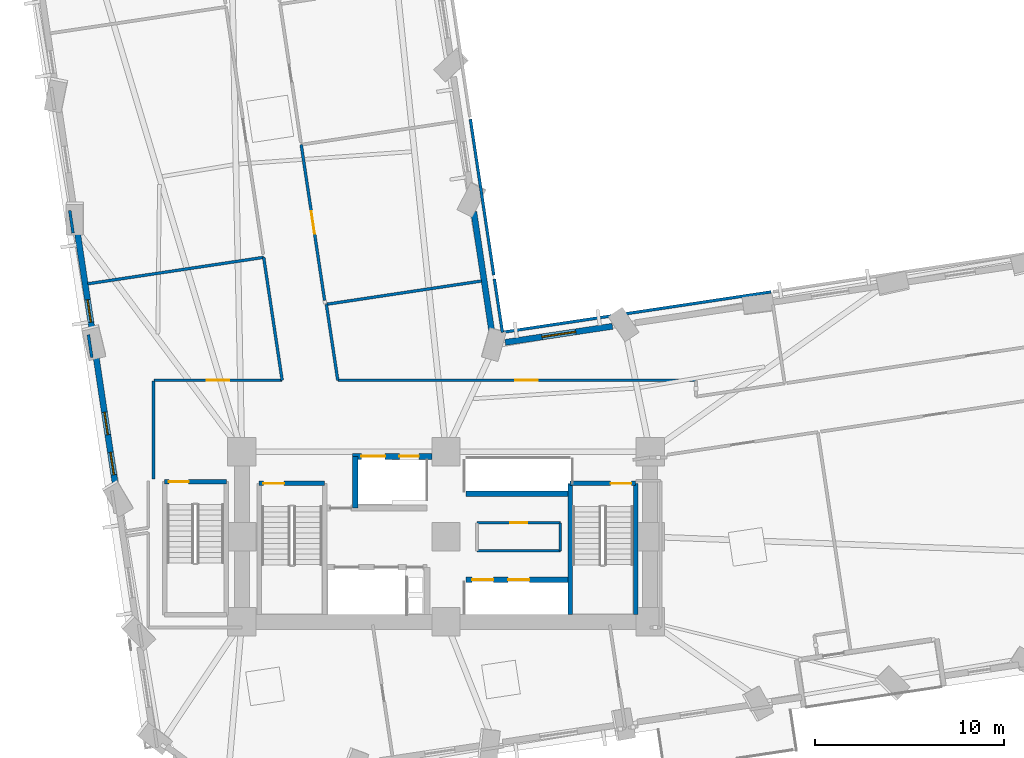
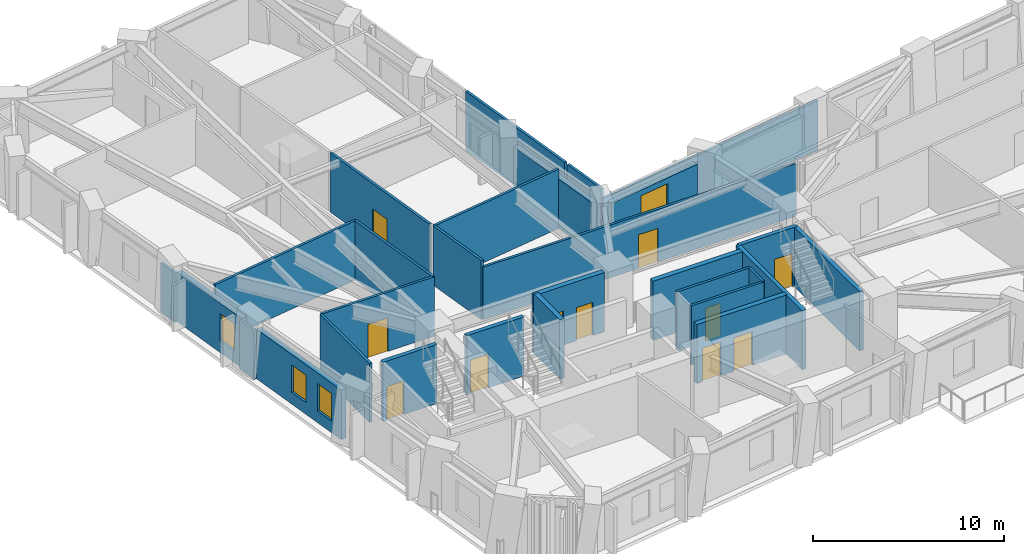
# One storey, part 8 of 15: 29 walls, 11 doors, 4 windows, 15 openings.
"""IFC4 building model written with IfcOpenShell, lengths in metres."""

from ifc_helpers import new_model, si_unit, direction, frame, frame_2d, origin, place, context, subcontext, project, spatial, rectangle, extrude, material, layer, layer_set, type_object, element, fill, save


model = new_model("IFC4")

# Units and contexts
model_context = context("Model", 3, precision=1e-05, world=origin(), true_north=direction((0.0, 1.0)))
body_context = subcontext(model_context, "Body", "Model", "MODEL_VIEW")
ifc_project = project(units=[si_unit("LENGTHUNIT", "METRE"), si_unit("AREAUNIT", "SQUARE_METRE"), si_unit("VOLUMEUNIT", "CUBIC_METRE"), si_unit("PLANEANGLEUNIT", "RADIAN"), si_unit("MASSUNIT", "GRAM", prefix="KILO")], contexts=[model_context])

# Site, building, storey
site_placement = place(None, origin())
site = spatial("IfcSite", under=ifc_project, at=site_placement, CompositionType="ELEMENT")
building_placement = place(site_placement, origin())
building = spatial("IfcBuilding", under=site, at=building_placement, Name="Gaonmaruhae Medical Tower", CompositionType="ELEMENT")
storey_placement = place(building_placement, frame((0.0, 0.0, 59.0)))
storey = spatial("IfcBuildingStorey", under=building, at=storey_placement, Name="L13", CompositionType="ELEMENT", Elevation=59.0)

# Wall, opening, window
ifc_material_1 = material(Name="Precast concrete C45/55", Category="concrete")
ifc_layer_1 = layer(ifc_material_1, 0.320068359375)
ifc_layer_set_1 = layer_set([ifc_layer_1], Name="Precast concrete C45/55")
wall_type_1 = type_object("IfcWallType", Name="EW-320 Lower Precast Masonry-Frame Facade Wall", PredefinedType="SOLIDWALL", material=ifc_layer_set_1)
wall_1_placement = place(storey_placement, frame((27.93359375, 22.5830078125, 0.0), z_axis=(0.0, 0.0, 1.0), x_axis=(0.988887912661, 0.148663029005, 0.0)))
wall_1 = element("IfcWall", 1, at=wall_1_placement, inside=storey, type_object=wall_type_1, Name="L13 Precast Masonry-Frame Wall EN04-KN01", PredefinedType="SOLIDWALL", context=body_context, shape_type="SweptSolid", body=[
    extrude(rectangle(XDim=5.736328125, YDim=0.320068359375, at=frame_2d((2.8681640625, 0.0))), origin(), (0.0, 0.0, 1.0), 3.1650390625),
])
opening_1_placement = place(wall_1_placement, frame((1.96875, 0.0, 0.75)))
opening_1 = element("IfcOpeningElement", 2, at=opening_1_placement, cuts=wall_1, Name="Opening WN-04", PredefinedType="OPENING", context=body_context, shape_type="SweptSolid", body=[
    extrude(rectangle(XDim=1.800048828125, YDim=2.050048828125, at=frame_2d((0.89990234375, 1.02490234375))), frame((0.0, 0.169921875, 0.0), z_axis=(0.0, -1.0, 0.0), x_axis=(1.0, 0.0, 0.0)), (0.0, 0.0, 1.0), 0.340087890625),
])
ifc_material_2 = material(Name="Anodised aluminium and Low-E double glazing", Category="aluminium")
window_type_1 = type_object("IfcWindowType", Name="WN-04 Clinic & Consult Punched Window 1800x2050", PartitioningType="SINGLE_PANEL", PredefinedType="WINDOW", material=ifc_material_2)
window_1_placement = place(opening_1_placement, origin())
window_1 = element("IfcWindow", 3, at=window_1_placement, inside=storey, type_object=window_type_1, Name="L13 Modular Facade Window EN04", OverallHeight=2.050048828125, OverallWidth=1.800048828125, PartitioningType="SINGLE_PANEL", PredefinedType="WINDOW", context=body_context, shape_type="SweptSolid", body=[
    extrude(rectangle(XDim=1.800048828125, YDim=2.050048828125, at=frame_2d((0.89990234375, 1.02490234375))), frame((0.0, 0.030029296875, 0.0), z_axis=(0.0, -1.0, 0.0), x_axis=(1.0, 0.0, 0.0)), (0.0, 0.0, 1.0), 0.06005859375),
])
fill(opening_1, window_1)

# Wall
wall_2_placement = place(storey_placement, frame((27.2412109375, 23.03857421875, 0.0), z_axis=(0.0, 0.0, 1.0), x_axis=(-0.148660081435, 0.988888355775, 0.0)))
element("IfcWall", 4, at=wall_2_placement, inside=storey, type_object=wall_type_1, Name="L13 Precast Masonry-Frame Wall KN01-NE01", PredefinedType="SOLIDWALL", context=body_context, shape_type="SweptSolid", body=[
    extrude(rectangle(XDim=6.5361328125, YDim=0.320068359375, at=frame_2d((3.26806640625, 0.0))), origin(), (0.0, 0.0, 1.0), 3.1650390625),
])

# Wall, opening, window
wall_3_placement = place(storey_placement, frame((6.108642578125, 23.023193359375, 0.0), z_axis=(0.0, 0.0, 1.0), x_axis=(-0.148652196075, 0.988889541153, 0.0)))
wall_3 = element("IfcWall", 5, at=wall_3_placement, inside=storey, type_object=wall_type_1, Name="L13 Precast Masonry-Frame Wall W03-W04", PredefinedType="SOLIDWALL", context=body_context, shape_type="SweptSolid", body=[
    extrude(rectangle(XDim=5.437744140625, YDim=0.320068359375, at=frame_2d((2.71875, 0.0))), origin(), (0.0, 0.0, 1.0), 3.1650390625),
])
opening_2_placement = place(wall_3_placement, frame((0.6298828125, 0.0, 0.75)))
opening_2 = element("IfcOpeningElement", 6, at=opening_2_placement, cuts=wall_3, Name="Opening WN-05", PredefinedType="OPENING", context=body_context, shape_type="SweptSolid", body=[
    extrude(rectangle(XDim=1.199951171875, YDim=1.75, at=frame_2d((0.60009765625, 0.875))), frame((0.0, 0.169921875, 0.0), z_axis=(0.0, -1.0, 0.0), x_axis=(1.0, 0.0, 0.0)), (0.0, 0.0, 1.0), 0.340087890625),
])
window_type_2 = type_object("IfcWindowType", Name="WN-05 Support & Staff Punched Window 1200x1750", PartitioningType="SINGLE_PANEL", PredefinedType="WINDOW", material=ifc_material_2)
window_2_placement = place(opening_2_placement, origin())
window_2 = element("IfcWindow", 7, at=window_2_placement, inside=storey, type_object=window_type_2, Name="L13 Modular Facade Window W03", OverallHeight=1.75, OverallWidth=1.199951171875, PartitioningType="SINGLE_PANEL", PredefinedType="WINDOW", context=body_context, shape_type="SweptSolid", body=[
    extrude(rectangle(XDim=1.199951171875, YDim=1.75, at=frame_2d((0.60009765625, 0.875))), frame((0.0, 0.030029296875, 0.0), z_axis=(0.0, -1.0, 0.0), x_axis=(1.0, 0.0, 0.0)), (0.0, 0.0, 1.0), 0.06005859375),
])
fill(opening_2, window_2)

# Wall, openings, windows
wall_4_placement = place(storey_placement, frame((7.350341796875, 14.76416015625, 0.0), z_axis=(0.0, 0.0, 1.0), x_axis=(-0.148678365996, 0.988885606875, 0.0)))
wall_4 = element("IfcWall", 8, at=wall_4_placement, inside=storey, type_object=wall_type_1, Name="L13 Precast Masonry-Frame Wall W04-W05", PredefinedType="SOLIDWALL", context=body_context, shape_type="SweptSolid", body=[
    extrude(rectangle(XDim=7.136474609375, YDim=0.320068359375, at=frame_2d((3.568359375, 0.0))), origin(), (0.0, 0.0, 1.0), 3.1650390625),
])
opening_3_placement = place(wall_4_placement, frame((2.96875, 0.0, 0.75)))
opening_3 = element("IfcOpeningElement", 9, at=opening_3_placement, cuts=wall_4, Name="Opening WN-05", PredefinedType="OPENING", context=body_context, shape_type="SweptSolid", body=[
    extrude(rectangle(XDim=1.199951171875, YDim=1.75, at=frame_2d((0.60009765625, 0.875))), frame((0.0, 0.169921875, 0.0), z_axis=(0.0, -1.0, 0.0), x_axis=(1.0, 0.0, 0.0)), (0.0, 0.0, 1.0), 0.340087890625),
])
opening_4_placement = place(wall_4_placement, frame((0.81982421875, 0.0, 0.75)))
opening_4 = element("IfcOpeningElement", 10, at=opening_4_placement, cuts=wall_4, Name="Opening WN-05", PredefinedType="OPENING", context=body_context, shape_type="SweptSolid", body=[
    extrude(rectangle(XDim=1.199951171875, YDim=1.75, at=frame_2d((0.60009765625, 0.875))), frame((0.0, 0.169921875, 0.0), z_axis=(0.0, -1.0, 0.0), x_axis=(1.0, 0.0, 0.0)), (0.0, 0.0, 1.0), 0.340087890625),
])
window_3_placement = place(opening_3_placement, origin())
window_3 = element("IfcWindow", 11, at=window_3_placement, inside=storey, type_object=window_type_2, Name="L13 Modular Facade Window W04", OverallHeight=1.75, OverallWidth=1.199951171875, PartitioningType="SINGLE_PANEL", PredefinedType="WINDOW", context=body_context, shape_type="SweptSolid", body=[
    extrude(rectangle(XDim=1.199951171875, YDim=1.75, at=frame_2d((0.60009765625, 0.875))), frame((0.0, 0.030029296875, 0.0), z_axis=(0.0, -1.0, 0.0), x_axis=(1.0, 0.0, 0.0)), (0.0, 0.0, 1.0), 0.06005859375),
])
fill(opening_3, window_3)
window_4_placement = place(opening_4_placement, origin())
window_4 = element("IfcWindow", 12, at=window_4_placement, inside=storey, type_object=window_type_2, Name="L13 Modular Facade Window W04B", OverallHeight=1.75, OverallWidth=1.199951171875, PartitioningType="SINGLE_PANEL", PredefinedType="WINDOW", context=body_context, shape_type="SweptSolid", body=[
    extrude(rectangle(XDim=1.199951171875, YDim=1.75, at=frame_2d((0.60009765625, 0.875))), frame((0.0, 0.030029296875, 0.0), z_axis=(0.0, -1.0, 0.0), x_axis=(1.0, 0.0, 0.0)), (0.0, 0.0, 1.0), 0.06005859375),
])
fill(opening_4, window_4)

# Wall, opening, door
ifc_material_3 = material(Name="Gypsum board partition", Category="gypsum")
ifc_layer_2 = layer(ifc_material_3, 0.14990234375)
ifc_layer_set_2 = layer_set([ifc_layer_2], Name="Gypsum board partition")
wall_type_2 = type_object("IfcWallType", Name="PW-150 Rated Clinical Corridor Partition", PredefinedType="PARTITIONING", material=ifc_layer_set_2)
wall_5_placement = place(storey_placement, frame((26.449951171875, 13.0400390625, 0.0), z_axis=(0.0, 0.0, 1.0), x_axis=(1.0, 0.0, 0.0)))
wall_5 = element("IfcWall", 13, at=wall_5_placement, inside=storey, type_object=wall_type_2, Name="L13 Interior Partition L13-CS1-2", PredefinedType="PARTITIONING", context=body_context, shape_type="SweptSolid", body=[
    extrude(rectangle(XDim=4.400146484375, YDim=0.14990234375, at=frame_2d((2.2001953125, 0.0))), origin(), (0.0, 0.0, 1.0), 3.780029296875),
])
opening_5_placement = place(wall_5_placement, frame((1.739990234375, 0.0, 0.0)))
opening_5 = element("IfcOpeningElement", 14, at=opening_5_placement, cuts=wall_5, Name="Opening UD-01", PredefinedType="OPENING", context=body_context, shape_type="SweptSolid", body=[
    extrude(rectangle(XDim=0.919921875, YDim=2.10009765625, at=frame_2d((0.4599609375, 1.050048828125))), frame((0.0, 0.0849609375, 0.0), z_axis=(0.0, -1.0, 0.0), x_axis=(1.0, 0.0, 0.0)), (0.0, 0.0, 1.0), 0.169921875),
])
ifc_material_4 = material(Name="Powder-coated steel utility door", Category="steel")
door_type_1 = type_object("IfcDoorType", Name="UD-01 Toilet, Utility & Housekeeping Door 920x2100", OperationType="NOTDEFINED", PredefinedType="DOOR", material=ifc_material_4)
door_1_placement = place(opening_5_placement, origin())
door_1 = element("IfcDoor", 15, at=door_1_placement, inside=storey, type_object=door_type_1, Name="L13 Clean Linen Utility Store Door", OperationType="SINGLE_SWING_LEFT", OverallHeight=2.10009765625, OverallWidth=0.919921875, PredefinedType="DOOR", context=body_context, shape_type="SweptSolid", body=[
    extrude(rectangle(XDim=0.919921875, YDim=2.10009765625, at=frame_2d((0.4599609375, 1.050048828125))), frame((0.0, 0.02490234375, 0.0), z_axis=(0.0, -1.0, 0.0), x_axis=(1.0, 0.0, 0.0)), (0.0, 0.0, 1.0), 0.050048828125),
])
fill(opening_5, door_1)

# Walls
wall_6_placement = place(storey_placement, frame((30.85009765625, 13.0400390625, 0.0), z_axis=(0.0, 0.0, 1.0), x_axis=(0.0, -1.0, 0.0)))
element("IfcWall", 16, at=wall_6_placement, inside=storey, type_object=wall_type_2, Name="L13 Interior Partition L13-CS1-3", PredefinedType="PARTITIONING", context=body_context, shape_type="SweptSolid", body=[
    extrude(rectangle(XDim=1.47998046875, YDim=0.14990234375, at=frame_2d((0.739990234375, 0.0))), origin(), (0.0, 0.0, 1.0), 3.780029296875),
])
wall_7_placement = place(storey_placement, frame((30.85009765625, 11.56005859375, 0.0), z_axis=(0.0, 0.0, 1.0), x_axis=(-1.0, 0.0, 0.0)))
element("IfcWall", 17, at=wall_7_placement, inside=storey, type_object=wall_type_2, Name="L13 Interior Partition L13-CS1-4", PredefinedType="PARTITIONING", context=body_context, shape_type="SweptSolid", body=[
    extrude(rectangle(XDim=4.400146484375, YDim=0.14990234375, at=frame_2d((2.2001953125, 0.0))), origin(), (0.0, 0.0, 1.0), 3.780029296875),
])
wall_8_placement = place(storey_placement, frame((9.320068359375, 20.550048828125, 0.0), z_axis=(0.0, 0.0, 1.0), x_axis=(0.0, -1.0, 0.0)))
element("IfcWall", 18, at=wall_8_placement, inside=storey, type_object=wall_type_2, Name="L13 Interior Partition L13-WOF06-43", PredefinedType="PARTITIONING", context=body_context, shape_type="SweptSolid", body=[
    extrude(rectangle(XDim=5.18505859375, YDim=0.14990234375, at=frame_2d((2.592529296875, 0.0))), origin(), (0.0, 0.0, 1.0), 3.780029296875),
])
wall_9_placement = place(storey_placement, frame((6.06201171875, 21.787109375, 0.0), z_axis=(0.0, 0.0, 1.0), x_axis=(-0.148841369981, 0.988861085584, 0.0)))
element("IfcWall", 19, at=wall_9_placement, inside=storey, type_object=wall_type_2, Name="L13 Interior Partition L13-WOF06-47", PredefinedType="PARTITIONING", context=body_context, shape_type="SweptSolid", body=[
    extrude(rectangle(XDim=1.21533203125, YDim=0.14990234375, at=frame_2d((0.607666015625, 0.0))), origin(), (0.0, 0.0, 1.0), 3.1650390625),
])
wall_10_placement = place(storey_placement, frame((5.844970703125, 25.68310546875, 0.0), z_axis=(0.0, 0.0, 1.0), x_axis=(0.988885704997, 0.148677713369, 0.0)))
element("IfcWall", 20, at=wall_10_placement, inside=storey, type_object=wall_type_2, Name="L13 Interior Partition L13-WOF06-48", PredefinedType="PARTITIONING", context=body_context, shape_type="SweptSolid", body=[
    extrude(rectangle(XDim=9.415771484375, YDim=0.14990234375, at=frame_2d((4.7080078125, 0.0))), origin(), (0.0, 0.0, 1.0), 3.780029296875),
])
wall_11_placement = place(storey_placement, frame((15.156005859375, 27.0830078125, 0.0), z_axis=(0.0, 0.0, 1.0), x_axis=(0.148580091248, -0.988900377432, 0.0)))
element("IfcWall", 21, at=wall_11_placement, inside=storey, type_object=wall_type_2, Name="L13 Interior Partition L13-WOF06-49", PredefinedType="PARTITIONING", context=body_context, shape_type="SweptSolid", body=[
    extrude(rectangle(XDim=6.575927734375, YDim=0.14990234375, at=frame_2d((3.2880859375, 0.0))), origin(), (0.0, 0.0, 1.0), 3.780029296875),
])

# Wall, opening, door
wall_12_placement = place(storey_placement, frame((16.133056640625, 20.580078125, 0.0), z_axis=(0.0, 0.0, 1.0), x_axis=(-1.0, 0.0, 0.0)))
wall_12 = element("IfcWall", 22, at=wall_12_placement, inside=storey, type_object=wall_type_2, Name="L13 Interior Partition L13-WOF06-50", PredefinedType="PARTITIONING", context=body_context, shape_type="SweptSolid", body=[
    extrude(rectangle(XDim=6.7861328125, YDim=0.14990234375, at=frame_2d((3.39306640625, 0.0))), origin(), (0.0, 0.0, 1.0), 3.780029296875),
])
opening_6_placement = place(wall_12_placement, frame((2.79296875, 0.0, 0.0)))
opening_6 = element("IfcOpeningElement", 23, at=opening_6_placement, cuts=wall_12, Name="Opening CD-02", PredefinedType="OPENING", context=body_context, shape_type="SweptSolid", body=[
    extrude(rectangle(XDim=1.199951171875, YDim=2.14990234375, at=frame_2d((0.60009765625, 1.074951171875))), frame((0.0, 0.0849609375, 0.0), z_axis=(0.0, -1.0, 0.0), x_axis=(1.0, 0.0, 0.0)), (0.0, 0.0, 1.0), 0.169921875),
])
ifc_material_5 = material(Name="Antimicrobial laminate timber fire door", Category="wood")
door_type_2 = type_object("IfcDoorType", Name="CD-02 Clinical Treatment & Procedure Door 1200x2150", OperationType="NOTDEFINED", PredefinedType="DOOR", material=ifc_material_5)
door_2_placement = place(opening_6_placement, origin())
door_2 = element("IfcDoor", 24, at=door_2_placement, inside=storey, type_object=door_type_2, Name="L13 Ward Physician Reporting Office Door", OperationType="SINGLE_SWING_RIGHT", OverallHeight=2.14990234375, OverallWidth=1.199951171875, PredefinedType="DOOR", context=body_context, shape_type="SweptSolid", body=[
    extrude(rectangle(XDim=1.199951171875, YDim=2.14990234375, at=frame_2d((0.60009765625, 1.074951171875))), frame((0.0, 0.02490234375, 0.0), z_axis=(0.0, -1.0, 0.0), x_axis=(1.0, 0.0, 0.0)), (0.0, 0.0, 1.0), 0.050048828125),
])
fill(opening_6, door_2)

# Wall
wall_13_placement = place(storey_placement, frame((5.072021484375, 28.365966796875, 0.0), z_axis=(0.0, 0.0, 1.0), x_axis=(-0.148093458743, 0.988973370459, 0.0)))
element("IfcWall", 25, at=wall_13_placement, inside=storey, type_object=wall_type_2, Name="L13 Interior Partition L13-WOF07-53", PredefinedType="PARTITIONING", context=body_context, shape_type="SweptSolid", body=[
    extrude(rectangle(XDim=1.20849609375, YDim=0.14990234375, at=frame_2d((0.604248046875, 0.0))), origin(), (0.0, 0.0, 1.0), 3.1650390625),
])

# Wall, opening, door
wall_14_placement = place(storey_placement, frame((38.0, 20.580078125, 0.0), z_axis=(0.0, 0.0, 1.0), x_axis=(-1.0, 0.0, 0.0)))
wall_14 = element("IfcWall", 26, at=wall_14_placement, inside=storey, type_object=wall_type_2, Name="L13 Interior Partition L13-IE01-65", PredefinedType="PARTITIONING", context=body_context, shape_type="SweptSolid", body=[
    extrude(rectangle(XDim=18.924072265625, YDim=0.14990234375, at=frame_2d((9.4619140625, 0.0))), origin(), (0.0, 0.0, 1.0), 3.364990234375),
])
opening_7_placement = place(wall_14_placement, frame((8.34716796875, 0.0, 0.0)))
opening_7 = element("IfcOpeningElement", 27, at=opening_7_placement, cuts=wall_14, Name="Opening CD-02", PredefinedType="OPENING", context=body_context, shape_type="SweptSolid", body=[
    extrude(rectangle(XDim=1.199951171875, YDim=2.14990234375, at=frame_2d((0.60009765625, 1.074951171875))), frame((0.0, 0.0849609375, 0.0), z_axis=(0.0, -1.0, 0.0), x_axis=(1.0, 0.0, 0.0)), (0.0, 0.0, 1.0), 0.169921875),
])
door_3_placement = place(opening_7_placement, origin())
door_3 = element("IfcDoor", 28, at=door_3_placement, inside=storey, type_object=door_type_2, Name="L13 Central Clinical Nurse Station Door", OperationType="SINGLE_SWING_LEFT", OverallHeight=2.14990234375, OverallWidth=1.199951171875, PredefinedType="DOOR", context=body_context, shape_type="SweptSolid", body=[
    extrude(rectangle(XDim=1.199951171875, YDim=2.14990234375, at=frame_2d((0.60009765625, 1.074951171875))), frame((0.0, 0.02490234375, 0.0), z_axis=(0.0, -1.0, 0.0), x_axis=(1.0, 0.0, 0.0)), (0.0, 0.0, 1.0), 0.050048828125),
])
fill(opening_7, door_3)

# Walls
wall_15_placement = place(storey_placement, frame((19.075927734375, 20.580078125, 0.0), z_axis=(0.0, 0.0, 1.0), x_axis=(-0.148616569828, 0.988894895918, 0.0)))
element("IfcWall", 29, at=wall_15_placement, inside=storey, type_object=wall_type_2, Name="L13 Interior Partition L13-IE01-66", PredefinedType="PARTITIONING", context=body_context, shape_type="SweptSolid", body=[
    extrude(rectangle(XDim=4.064208984375, YDim=0.14990234375, at=frame_2d((2.0322265625, 0.0))), origin(), (0.0, 0.0, 1.0), 3.780029296875),
])
wall_16_placement = place(storey_placement, frame((18.471923828125, 24.59912109375, 0.0), z_axis=(0.0, 0.0, 1.0), x_axis=(0.988902475287, 0.148566127942, 0.0)))
element("IfcWall", 30, at=wall_16_placement, inside=storey, type_object=wall_type_2, Name="L13 Interior Partition L13-IE01-67", PredefinedType="PARTITIONING", context=body_context, shape_type="SweptSolid", body=[
    extrude(rectangle(XDim=8.305419921875, YDim=0.14990234375, at=frame_2d((4.15283203125, 0.0))), origin(), (0.0, 0.0, 1.0), 3.780029296875),
])
wall_17_placement = place(storey_placement, frame((27.362060546875, 25.93505859375, 0.0), z_axis=(0.0, 0.0, 1.0), x_axis=(0.148721659191, -0.9888790968, 0.0)))
element("IfcWall", 31, at=wall_17_placement, inside=storey, type_object=wall_type_2, Name="L13 Interior Partition L13-IE01-68", PredefinedType="PARTITIONING", context=body_context, shape_type="SweptSolid", body=[
    extrude(rectangle(XDim=2.849853515625, YDim=0.14990234375, at=frame_2d((1.4248046875, 0.0))), origin(), (0.0, 0.0, 1.0), 3.780029296875),
])
wall_18_placement = place(storey_placement, frame((27.785888671875, 23.116943359375, 0.0), z_axis=(0.0, 0.0, 1.0), x_axis=(0.988887440996, 0.148666166425, 0.0)))
element("IfcWall", 32, at=wall_18_placement, inside=storey, type_object=wall_type_2, Name="L13 Interior Partition L13-IE01-69", PredefinedType="PARTITIONING", context=body_context, shape_type="SweptSolid", body=[
    extrude(rectangle(XDim=14.36767578125, YDim=0.14990234375, at=frame_2d((7.183837890625, 0.0))), origin(), (0.0, 0.0, 1.0), 3.1650390625),
])

# Wall, opening, door
wall_19_placement = place(storey_placement, frame((18.381103515625, 24.797119140625, 0.0), z_axis=(0.0, 0.0, 1.0), x_axis=(-0.148671093469, 0.988886700268, 0.0)))
wall_19 = element("IfcWall", 33, at=wall_19_placement, inside=storey, type_object=wall_type_2, Name="L13 Interior Partition L13-IN01-76", PredefinedType="PARTITIONING", context=body_context, shape_type="SweptSolid", body=[
    extrude(rectangle(XDim=8.340576171875, YDim=0.14990234375, at=frame_2d((4.17041015625, 0.0))), origin(), (0.0, 0.0, 1.0), 3.780029296875),
])
opening_8_placement = place(wall_19_placement, frame((3.5703125, 0.0, 0.0)))
opening_8 = element("IfcOpeningElement", 34, at=opening_8_placement, cuts=wall_19, Name="Opening CD-02", PredefinedType="OPENING", context=body_context, shape_type="SweptSolid", body=[
    extrude(rectangle(XDim=1.199951171875, YDim=2.14990234375, at=frame_2d((0.60009765625, 1.074951171875))), frame((0.0, 0.0849609375, 0.0), z_axis=(0.0, -1.0, 0.0), x_axis=(1.0, 0.0, 0.0)), (0.0, 0.0, 1.0), 0.169921875),
])
door_4_placement = place(opening_8_placement, origin())
door_4 = element("IfcDoor", 35, at=door_4_placement, inside=storey, type_object=door_type_2, Name="L13 Physician Consultation Office Door", OperationType="SINGLE_SWING_RIGHT", OverallHeight=2.14990234375, OverallWidth=1.199951171875, PredefinedType="DOOR", context=body_context, shape_type="SweptSolid", body=[
    extrude(rectangle(XDim=1.199951171875, YDim=2.14990234375, at=frame_2d((0.60009765625, 1.074951171875))), frame((0.0, 0.02490234375, 0.0), z_axis=(0.0, -1.0, 0.0), x_axis=(1.0, 0.0, 0.0)), (0.0, 0.0, 1.0), 0.050048828125),
])
fill(opening_8, door_4)

# Wall
wall_20_placement = place(storey_placement, frame((26.091064453125, 34.389892578125, 0.0), z_axis=(0.0, 0.0, 1.0), x_axis=(0.148688309423, -0.988884111836, 0.0)))
element("IfcWall", 36, at=wall_20_placement, inside=storey, type_object=wall_type_2, Name="L13 Interior Partition L13-IN01-78", PredefinedType="PARTITIONING", context=body_context, shape_type="SweptSolid", body=[
    extrude(rectangle(XDim=8.339599609375, YDim=0.14990234375, at=frame_2d((4.169921875, 0.0))), origin(), (0.0, 0.0, 1.0), 3.780029296875),
])

# Wall, opening, door
ifc_material_6 = material(Name="Concrete C50/60", Category="concrete")
ifc_layer_3 = layer(ifc_material_6, 0.239990234375)
ifc_layer_set_3 = layer_set([ifc_layer_3], Name="Concrete C50/60")
wall_type_3 = type_object("IfcWallType", Name="SW-240 Dogleg Stair Tight Shaft Wall", PredefinedType="SOLIDWALL", material=ifc_layer_set_3)
wall_21_placement = place(storey_placement, frame((14.919921875, 15.1201171875, 0.0), z_axis=(0.0, 0.0, 1.0), x_axis=(1.0, 0.0, 0.0)))
wall_21 = element("IfcWall", 37, at=wall_21_placement, inside=storey, type_object=wall_type_3, Name="L13 ST-01 Stair Shaft Wall SHW-ST-01-N", PredefinedType="SOLIDWALL", context=body_context, shape_type="SweptSolid", body=[
    extrude(rectangle(XDim=3.4599609375, YDim=0.239990234375, at=frame_2d((1.72998046875, 0.0))), origin(), (0.0, 0.0, 1.0), 3.780029296875),
])
opening_9_placement = place(wall_21_placement, frame((0.219970703125, 0.0, 0.0)))
opening_9 = element("IfcOpeningElement", 38, at=opening_9_placement, cuts=wall_21, Name="Opening FD-01", PredefinedType="OPENING", context=body_context, shape_type="SweptSolid", body=[
    extrude(rectangle(XDim=1.10009765625, YDim=2.14990234375, at=frame_2d((0.550048828125, 1.074951171875))), frame((0.0, 0.1298828125, 0.0), z_axis=(0.0, -1.0, 0.0), x_axis=(1.0, 0.0, 0.0)), (0.0, 0.0, 1.0), 0.260009765625),
])
ifc_material_7 = material(Name="Powder-coated steel fire door", Category="steel")
door_type_3 = type_object("IfcDoorType", Name="FD-01 Escape Stair Protected Fire Door 1100x2150", OperationType="NOTDEFINED", PredefinedType="DOOR", material=ifc_material_7)
door_5_placement = place(opening_9_placement, origin())
door_5 = element("IfcDoor", 39, at=door_5_placement, inside=storey, type_object=door_type_3, Name="L13 ST-01 Protected Escape Stair Door", OperationType="SINGLE_SWING_RIGHT", OverallHeight=2.14990234375, OverallWidth=1.10009765625, PredefinedType="DOOR", context=body_context, shape_type="SweptSolid", body=[
    extrude(rectangle(XDim=1.10009765625, YDim=2.14990234375, at=frame_2d((0.550048828125, 1.074951171875))), frame((0.0, 0.02490234375, 0.0), z_axis=(0.0, -1.0, 0.0), x_axis=(1.0, 0.0, 0.0)), (0.0, 0.0, 1.0), 0.050048828125),
])
fill(opening_9, door_5)

wall_22_placement = place(storey_placement, frame((31.3701171875, 15.1201171875, 0.0), z_axis=(0.0, 0.0, 1.0), x_axis=(1.0, 0.0, 0.0)))
wall_22 = element("IfcWall", 40, at=wall_22_placement, inside=storey, type_object=wall_type_3, Name="L13 ST-02 Stair Shaft Wall SHW-ST-02-N", PredefinedType="SOLIDWALL", context=body_context, shape_type="SweptSolid", body=[
    extrude(rectangle(XDim=3.4599609375, YDim=0.239990234375, at=frame_2d((1.72998046875, 0.0))), origin(), (0.0, 0.0, 1.0), 3.780029296875),
])
opening_10_placement = place(wall_22_placement, frame((2.139892578125, 0.0, 0.0)))
opening_10 = element("IfcOpeningElement", 41, at=opening_10_placement, cuts=wall_22, Name="Opening FD-01", PredefinedType="OPENING", context=body_context, shape_type="SweptSolid", body=[
    extrude(rectangle(XDim=1.10009765625, YDim=2.14990234375, at=frame_2d((0.550048828125, 1.074951171875))), frame((0.0, 0.1298828125, 0.0), z_axis=(0.0, -1.0, 0.0), x_axis=(1.0, 0.0, 0.0)), (0.0, 0.0, 1.0), 0.260009765625),
])
door_6_placement = place(opening_10_placement, origin())
door_6 = element("IfcDoor", 42, at=door_6_placement, inside=storey, type_object=door_type_3, Name="L13 ST-02 Protected Escape Stair Door", OperationType="SINGLE_SWING_LEFT", OverallHeight=2.14990234375, OverallWidth=1.10009765625, PredefinedType="DOOR", context=body_context, shape_type="SweptSolid", body=[
    extrude(rectangle(XDim=1.10009765625, YDim=2.14990234375, at=frame_2d((0.550048828125, 1.074951171875))), frame((0.0, 0.02490234375, 0.0), z_axis=(0.0, -1.0, 0.0), x_axis=(1.0, 0.0, 0.0)), (0.0, 0.0, 1.0), 0.050048828125),
])
fill(opening_10, door_6)

# Walls
for number, where, z_axis, x_axis, name in (
    (43, (34.830078125, 15.1201171875, 0.0), (0.0, 0.0, 1.0), (0.0, -1.0, 0.0), "L13 ST-02 Stair Shaft Wall SHW-ST-02-E"),
    (44, (31.3701171875, 8.199951171875, 0.0), (0.0, 0.0, 1.0), (0.0, 1.0, 0.0), "L13 ST-02 Stair Shaft Wall SHW-ST-02-W"),
):
    element("IfcWall", number, at=place(storey_placement, frame(where, z_axis=z_axis, x_axis=x_axis)), inside=storey, type_object=wall_type_3, Name=name, PredefinedType="SOLIDWALL", context=body_context, shape_type="SweptSolid", body=[
        extrude(rectangle(XDim=6.920166015625, YDim=0.239990234375, at=frame_2d((3.4599609375, 0.0))), origin(), (0.0, 0.0, 1.0), 3.780029296875),
    ])

# Wall, opening, door
wall_23_placement = place(storey_placement, frame((9.919921875, 15.219970703125, 0.0), z_axis=(0.0, 0.0, 1.0), x_axis=(1.0, 0.0, 0.0)))
wall_23 = element("IfcWall", 45, at=wall_23_placement, inside=storey, type_object=wall_type_3, Name="L13 ST-03 Stair Shaft Wall SHW-ST-03-N", PredefinedType="SOLIDWALL", context=body_context, shape_type="SweptSolid", body=[
    extrude(rectangle(XDim=3.260009765625, YDim=0.239990234375, at=frame_2d((1.6298828125, 0.0))), origin(), (0.0, 0.0, 1.0), 3.780029296875),
])
opening_11_placement = place(wall_23_placement, frame((0.219970703125, 0.0, 0.0)))
opening_11 = element("IfcOpeningElement", 46, at=opening_11_placement, cuts=wall_23, Name="Opening FD-02", PredefinedType="OPENING", context=body_context, shape_type="SweptSolid", body=[
    extrude(rectangle(XDim=1.050048828125, YDim=2.14990234375, at=frame_2d((0.52490234375, 1.074951171875))), frame((0.0, 0.1298828125, 0.0), z_axis=(0.0, -1.0, 0.0), x_axis=(1.0, 0.0, 0.0)), (0.0, 0.0, 1.0), 0.260009765625),
])
door_type_4 = type_object("IfcDoorType", Name="FD-02 Secondary Stair Fire Door 1050x2150", OperationType="NOTDEFINED", PredefinedType="DOOR", material=ifc_material_7)
door_7_placement = place(opening_11_placement, origin())
door_7 = element("IfcDoor", 47, at=door_7_placement, inside=storey, type_object=door_type_4, Name="L13 ST-03 Protected Escape Stair Door", OperationType="SINGLE_SWING_RIGHT", OverallHeight=2.14990234375, OverallWidth=1.050048828125, PredefinedType="DOOR", context=body_context, shape_type="SweptSolid", body=[
    extrude(rectangle(XDim=1.050048828125, YDim=2.14990234375, at=frame_2d((0.52490234375, 1.074951171875))), frame((0.0, 0.02490234375, 0.0), z_axis=(0.0, -1.0, 0.0), x_axis=(1.0, 0.0, 0.0)), (0.0, 0.0, 1.0), 0.050048828125),
])
fill(opening_11, door_7)

# Wall, openings, doors
ifc_layer_4 = layer(ifc_material_6, 0.300048828125)
ifc_layer_set_4 = layer_set([ifc_layer_4], Name="Concrete C50/60")
wall_type_4 = type_object("IfcWallType", Name="SW-300 Stair & Lift Hoistway Shaft Wall", PredefinedType="SOLIDWALL", material=ifc_layer_set_4)
wall_24_placement = place(storey_placement, frame((19.85009765625, 16.550048828125, 0.0), z_axis=(0.0, 0.0, 1.0), x_axis=(1.0, 0.0, 0.0)))
wall_24 = element("IfcWall", 48, at=wall_24_placement, inside=storey, type_object=wall_type_4, Name="L13 Core Shear Wall CSW-NB", PredefinedType="SOLIDWALL", context=body_context, shape_type="SweptSolid", body=[
    extrude(rectangle(XDim=4.199951171875, YDim=0.300048828125, at=frame_2d((2.10009765625, 0.0))), origin(), (0.0, 0.0, 1.0), 3.780029296875),
])
opening_12_placement = place(wall_24_placement, frame((0.47509765625, 0.0, 0.0)))
opening_12 = element("IfcOpeningElement", 49, at=opening_12_placement, cuts=wall_24, Name="Opening LD-F1", PredefinedType="OPENING", context=body_context, shape_type="SweptSolid", body=[
    extrude(rectangle(XDim=1.25, YDim=2.179931640625, at=frame_2d((0.625, 1.08984375))), frame((0.0, 0.16015625, 0.0), z_axis=(0.0, -1.0, 0.0), x_axis=(1.0, 0.0, 0.0)), (0.0, 0.0, 1.0), 0.320068359375),
])
opening_13_placement = place(wall_24_placement, frame((2.489990234375, 0.0, 0.0)))
opening_13 = element("IfcOpeningElement", 50, at=opening_13_placement, cuts=wall_24, Name="Opening LD-S1", PredefinedType="OPENING", context=body_context, shape_type="SweptSolid", body=[
    extrude(rectangle(XDim=1.02001953125, YDim=2.1201171875, at=frame_2d((0.510009765625, 1.06005859375))), frame((0.0, 0.16015625, 0.0), z_axis=(0.0, -1.0, 0.0), x_axis=(1.0, 0.0, 0.0)), (0.0, 0.0, 1.0), 0.320068359375),
])
ifc_material_8 = material(Name="Brushed stainless steel 316L landing door", Category="steel")
door_type_5 = type_object("IfcDoorType", Name="LD-F1 Firefighting & Bed Lift Sliding Landing Door 1250x2180", OperationType="NOTDEFINED", PredefinedType="DOOR", material=ifc_material_8)
door_8_placement = place(opening_12_placement, origin())
door_8 = element("IfcDoor", 51, at=door_8_placement, inside=storey, type_object=door_type_5, Name="L13 Service/Bed Lift Landing Door BDL-01", OperationType="DOUBLE_DOOR_SLIDING", OverallHeight=2.179931640625, OverallWidth=1.25, PredefinedType="DOOR", context=body_context, shape_type="SweptSolid", body=[
    extrude(rectangle(XDim=1.25, YDim=2.179931640625, at=frame_2d((0.625, 1.08984375))), frame((0.0, 0.02490234375, 0.0), z_axis=(0.0, -1.0, 0.0), x_axis=(1.0, 0.0, 0.0)), (0.0, 0.0, 1.0), 0.050048828125),
])
fill(opening_12, door_8)
ifc_material_9 = material(Name="Brushed stainless steel 304 landing door", Category="steel")
door_type_6 = type_object("IfcDoorType", Name="LD-S1 Service Lift Sliding Landing Door 1020x2120", OperationType="NOTDEFINED", PredefinedType="DOOR", material=ifc_material_9)
door_9_placement = place(opening_13_placement, origin())
door_9 = element("IfcDoor", 52, at=door_9_placement, inside=storey, type_object=door_type_6, Name="L13 Service/Bed Lift Landing Door SVL-01", OperationType="SLIDING_TO_LEFT", OverallHeight=2.1201171875, OverallWidth=1.02001953125, PredefinedType="DOOR", context=body_context, shape_type="SweptSolid", body=[
    extrude(rectangle(XDim=1.02001953125, YDim=2.1201171875, at=frame_2d((0.510009765625, 1.06005859375))), frame((0.0, 0.02490234375, 0.0), z_axis=(0.0, -1.0, 0.0), x_axis=(1.0, 0.0, 0.0)), (0.0, 0.0, 1.0), 0.050048828125),
])
fill(opening_13, door_9)

# Wall
wall_25_placement = place(storey_placement, frame((20.0, 13.820068359375, 0.0), z_axis=(0.0, 0.0, 1.0), x_axis=(0.0, 1.0, 0.0)))
element("IfcWall", 53, at=wall_25_placement, inside=storey, type_object=wall_type_4, Name="L13 Shaft Enclosure Wall SHW-BDW", PredefinedType="SOLIDWALL", context=body_context, shape_type="SweptSolid", body=[
    extrude(rectangle(XDim=2.72998046875, YDim=0.300048828125, at=frame_2d((1.364990234375, 0.0))), origin(), (0.0, 0.0, 1.0), 3.780029296875),
])

# Wall, openings, doors
wall_26_placement = place(storey_placement, frame((25.85009765625, 10.02001953125, 0.0), z_axis=(0.0, 0.0, 1.0), x_axis=(1.0, 0.0, 0.0)))
wall_26 = element("IfcWall", 54, at=wall_26_placement, inside=storey, type_object=wall_type_4, Name="L13 Shaft Enclosure Wall SHW-PLS", PredefinedType="SOLIDWALL", context=body_context, shape_type="SweptSolid", body=[
    extrude(rectangle(XDim=5.449951171875, YDim=0.300048828125, at=frame_2d((2.72509765625, 0.0))), origin(), (0.0, 0.0, 1.0), 3.780029296875),
])
opening_14_placement = place(wall_26_placement, frame((0.340087890625, 0.0, 0.0)))
opening_14 = element("IfcOpeningElement", 55, at=opening_14_placement, cuts=wall_26, Name="Opening LD-P1", PredefinedType="OPENING", context=body_context, shape_type="SweptSolid", body=[
    extrude(rectangle(XDim=1.1201171875, YDim=2.14990234375, at=frame_2d((0.56005859375, 1.074951171875))), frame((0.0, 0.16015625, 0.0), z_axis=(0.0, -1.0, 0.0), x_axis=(1.0, 0.0, 0.0)), (0.0, 0.0, 1.0), 0.320068359375),
])
opening_15_placement = place(wall_26_placement, frame((2.239990234375, 0.0, 0.0)))
opening_15 = element("IfcOpeningElement", 56, at=opening_15_placement, cuts=wall_26, Name="Opening LD-P1", PredefinedType="OPENING", context=body_context, shape_type="SweptSolid", body=[
    extrude(rectangle(XDim=1.1201171875, YDim=2.14990234375, at=frame_2d((0.56005859375, 1.074951171875))), frame((0.0, 0.16015625, 0.0), z_axis=(0.0, -1.0, 0.0), x_axis=(1.0, 0.0, 0.0)), (0.0, 0.0, 1.0), 0.320068359375),
])
door_type_7 = type_object("IfcDoorType", Name="LD-P1 Passenger Lift Sliding Landing Door 1120x2150", OperationType="NOTDEFINED", PredefinedType="DOOR", material=ifc_material_9)
door_10_placement = place(opening_14_placement, origin())
door_10 = element("IfcDoor", 57, at=door_10_placement, inside=storey, type_object=door_type_7, Name="L13 Passenger Lift Landing Door PL-L1", OperationType="DOUBLE_DOOR_SLIDING", OverallHeight=2.14990234375, OverallWidth=1.1201171875, PredefinedType="DOOR", context=body_context, shape_type="SweptSolid", body=[
    extrude(rectangle(XDim=1.1201171875, YDim=2.14990234375, at=frame_2d((0.56005859375, 1.074951171875))), frame((0.0, 0.02490234375, 0.0), z_axis=(0.0, -1.0, 0.0), x_axis=(1.0, 0.0, 0.0)), (0.0, 0.0, 1.0), 0.050048828125),
])
fill(opening_14, door_10)
door_11_placement = place(opening_15_placement, origin())
door_11 = element("IfcDoor", 58, at=door_11_placement, inside=storey, type_object=door_type_7, Name="L13 Passenger Lift Landing Door PL-L2", OperationType="DOUBLE_DOOR_SLIDING", OverallHeight=2.14990234375, OverallWidth=1.1201171875, PredefinedType="DOOR", context=body_context, shape_type="SweptSolid", body=[
    extrude(rectangle(XDim=1.1201171875, YDim=2.14990234375, at=frame_2d((0.56005859375, 1.074951171875))), frame((0.0, 0.02490234375, 0.0), z_axis=(0.0, -1.0, 0.0), x_axis=(1.0, 0.0, 0.0)), (0.0, 0.0, 1.0), 0.050048828125),
])
fill(opening_15, door_11)

# Wall
wall_27_placement = place(storey_placement, frame((25.85009765625, 14.580078125, 0.0), z_axis=(0.0, 0.0, 1.0), x_axis=(1.0, 0.0, 0.0)))
element("IfcWall", 59, at=wall_27_placement, inside=storey, type_object=wall_type_4, Name="L13 Shaft Enclosure Wall SHW-PLN", PredefinedType="SOLIDWALL", context=body_context, shape_type="SweptSolid", body=[
    extrude(rectangle(XDim=5.449951171875, YDim=0.300048828125, at=frame_2d((2.72509765625, 0.0))), origin(), (0.0, 0.0, 1.0), 3.780029296875),
])

save(model, "model.ifc")
